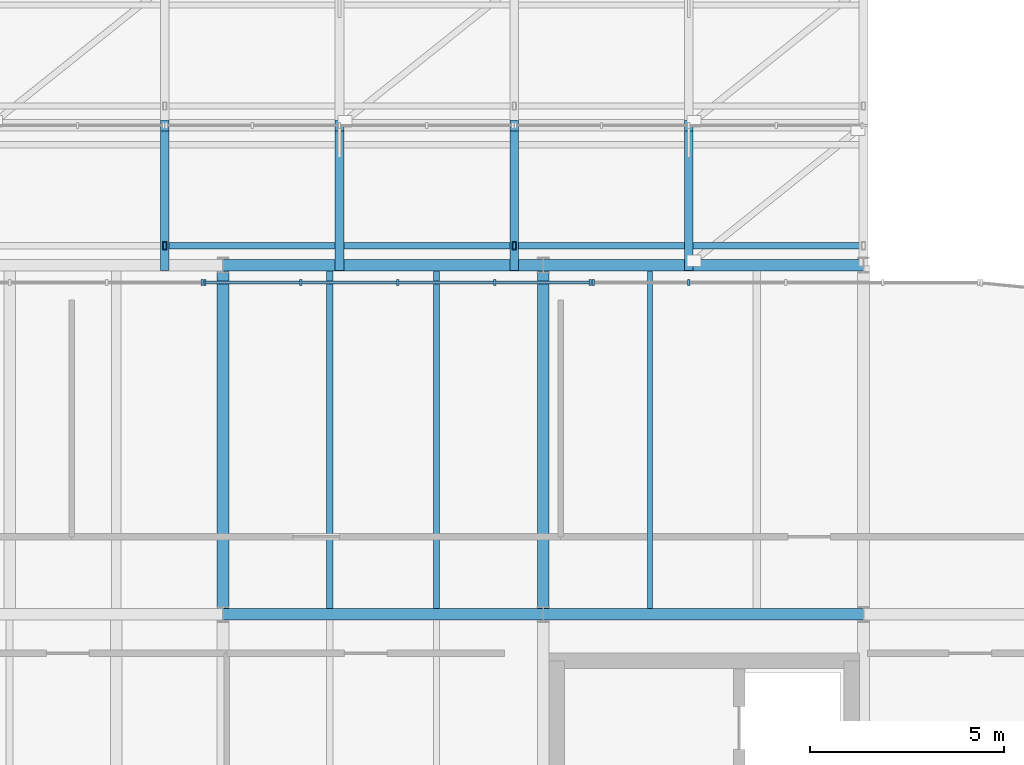
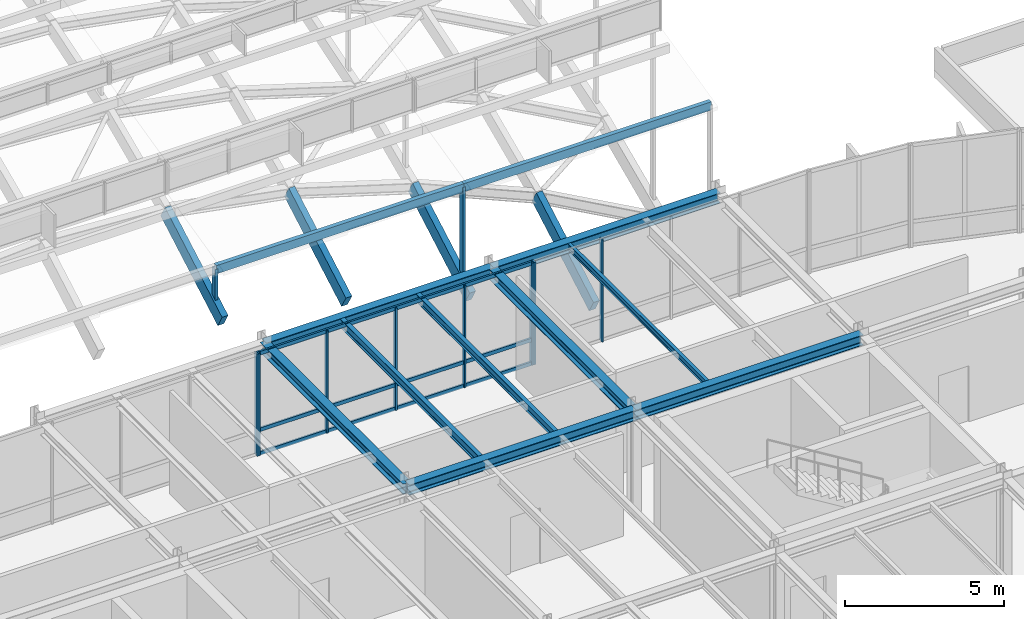
# One storey, part 19 of 69: 15 members, 13 beams, 3 elements without a shape of their own.
"""IFC4 building model written with IfcOpenShell, lengths in metres."""

from ifc_helpers import new_model, si_unit, direction, frame, origin, origin_2d, place, context, subcontext, project, spatial, rectangle, hollow_rectangle, i_section, extrude, material, layer, layer_set, material_profile, profile_set, type_object, element, aggregate, save


model = new_model("IFC4")

# Units and contexts
model_context = context("Model", 3, precision=1e-05, world=origin(), true_north=direction((0.0, 1.0)))
body_context = subcontext(model_context, "Body", "Model", "MODEL_VIEW")
ifc_project = project(units=[si_unit("LENGTHUNIT", "METRE"), si_unit("AREAUNIT", "SQUARE_METRE"), si_unit("VOLUMEUNIT", "CUBIC_METRE"), si_unit("PLANEANGLEUNIT", "RADIAN"), si_unit("MASSUNIT", "GRAM", prefix="KILO")], contexts=[model_context])

# Site, building, storey
site_placement = place(None, origin())
site = spatial("IfcSite", under=ifc_project, at=site_placement, CompositionType="ELEMENT")
building_placement = place(site_placement, origin())
building = spatial("IfcBuilding", under=site, at=building_placement, Name="Montealbar Specialist Clinic", CompositionType="ELEMENT")
storey_placement = place(building_placement, frame((0.0, 0.0, 9.60009765625)))
storey = spatial("IfcBuildingStorey", under=building, at=storey_placement, Name="L02", CompositionType="ELEMENT", Elevation=9.60009765625)

# Beams
ifc_material_1 = material(Name="Steel S355", Category="steel")
ifc_material_profile_1 = material_profile(ifc_material_1, i_section(OverallWidth=0.300048828125, OverallDepth=0.39990234375, WebThickness=0.013427734375, FlangeThickness=0.02392578125, FilletRadius=0.027099609375, at=origin_2d()), Name="HEB 400", Category="steel")
ifc_profile_set_1 = profile_set([ifc_material_profile_1], Name="Steel S355")
beam_type_1 = type_object("IfcBeamType", Name="BM-GIRD-HEB400", PredefinedType="BEAM", material=ifc_profile_set_1)
for number, where, z_axis, x_axis, name in (
    (1, (82.5, 36.0, 3.72998046875), (1.0, 0.0, 0.0), (0.0, 1.0, 0.0), "Beam GX-L02-825-908-360"),
    (2, (90.75, 36.0, 3.72998046875), (1.0, 0.0, 0.0), (0.0, 1.0, 0.0), "Beam GX-L02-908-990-360"),
):
    element("IfcBeam", number, at=place(storey_placement, frame(where, z_axis=z_axis, x_axis=x_axis)), inside=storey, type_object=beam_type_1, Name=name, PredefinedType="BEAM", context=body_context, shape_type="SweptSolid", body=[
        extrude(i_section(OverallWidth=0.300048828125, OverallDepth=0.39990234375, WebThickness=0.013427734375, FlangeThickness=0.02392578125, FilletRadius=0.027099609375, at=origin_2d()), origin(), (0.0, 0.0, 1.0), 8.25),
    ])
for number, where, z_axis, x_axis, name in (
    (3, (82.5, 36.0, 3.72998046875), (0.0, 1.0, 0.0), (-1.0, 0.0, 0.0), "Beam GY-L02-825-360-450"),
    (4, (90.75, 36.0, 3.72998046875), (0.0, 1.0, 0.0), (-1.0, 0.0, 0.0), "Beam GY-L02-908-360-450"),
):
    element("IfcBeam", number, at=place(storey_placement, frame(where, z_axis=z_axis, x_axis=x_axis)), inside=storey, type_object=beam_type_1, Name=name, PredefinedType="BEAM", context=body_context, shape_type="SweptSolid", body=[
        extrude(i_section(OverallWidth=0.300048828125, OverallDepth=0.39990234375, WebThickness=0.013427734375, FlangeThickness=0.02392578125, FilletRadius=0.027099609375, at=origin_2d()), origin(), (0.0, 0.0, 1.0), 9.0),
    ])
ifc_material_profile_2 = material_profile(ifc_material_1, i_section(OverallWidth=0.300048828125, OverallDepth=0.39990234375, WebThickness=0.013427734375, FlangeThickness=0.02392578125, FilletRadius=0.027099609375, at=origin_2d()), Name="HEB 400", Category="steel")
ifc_profile_set_2 = profile_set([ifc_material_profile_2], Name="Steel S355")
beam_type_2 = type_object("IfcBeamType", Name="BM-GIRD-HEB400-EXT", PredefinedType="BEAM", material=ifc_profile_set_2)
for number, where, z_axis, x_axis, name in (
    (5, (82.5, 45.0, 3.72998046875), (1.0, 0.0, 0.0), (0.0, 1.0, 0.0), "Beam GX-L02-825-908-450"),
    (6, (90.75, 45.0, 3.72998046875), (1.0, 0.0, 0.0), (0.0, 1.0, 0.0), "Beam GX-L02-908-990-450"),
):
    element("IfcBeam", number, at=place(storey_placement, frame(where, z_axis=z_axis, x_axis=x_axis)), inside=storey, type_object=beam_type_2, Name=name, PredefinedType="BEAM", context=body_context, shape_type="SweptSolid", body=[
        extrude(i_section(OverallWidth=0.300048828125, OverallDepth=0.39990234375, WebThickness=0.013427734375, FlangeThickness=0.02392578125, FilletRadius=0.027099609375, at=origin_2d()), origin(), (0.0, 0.0, 1.0), 8.25),
    ])
ifc_material_2 = material(Name="Glulam GL28h", Category="wood")
ifc_material_profile_3 = material_profile(ifc_material_2, rectangle(XDim=0.219970703125, YDim=0.56005859375, at=origin_2d()), Name="GL28h 220x560", Category="wood")
ifc_profile_set_3 = profile_set([ifc_material_profile_3], Name="Glulam GL28h")
beam_type_3 = type_object("IfcBeamType", Name="BM-GL-220x560-EXT", PredefinedType="BEAM", material=ifc_profile_set_3)
for number, where, z_axis, x_axis, name in (
    (7, (81.0, 45.0, 5.23291015625), (0.0, 0.869922637782, 0.493188203706), (-1.0, 0.0, 0.0), "Gridshell Glulam Roof Truss Rib Y 6-0"),
    (8, (85.5, 45.0, 4.40087890625), (0.0, 0.869922637782, 0.493188203706), (-1.0, 0.0, 0.0), "Gridshell Glulam Roof Truss Rib Y 7-0"),
    (9, (90.0, 45.0, 3.014892578125), (0.0, 0.869922637782, 0.493188203706), (-1.0, 0.0, 0.0), "Gridshell Glulam Roof Truss Rib Y 8-0"),
    (10, (94.5, 45.0, 1.074951171875), (0.0, 0.869922637782, 0.493188203706), (-1.0, 0.0, 0.0), "Gridshell Glulam Roof Truss Rib Y 9-0"),
):
    element("IfcBeam", number, at=place(storey_placement, frame(where, z_axis=z_axis, x_axis=x_axis)), inside=storey, type_object=beam_type_3, Name=name, PredefinedType="BEAM", context=body_context, shape_type="SweptSolid", body=[
        extrude(rectangle(XDim=0.219970703125, YDim=0.56005859375, at=origin_2d()), origin(), (0.0, 0.0, 1.0), 4.138427734375),
    ])
ifc_material_profile_4 = material_profile(ifc_material_1, i_section(OverallWidth=0.1201171875, OverallDepth=0.239990234375, WebThickness=0.006103515625, FlangeThickness=0.009765625, FilletRadius=0.014892578125, at=origin_2d()), Name="IPE 240", Category="steel")
ifc_profile_set_4 = profile_set([ifc_material_profile_4], Name="Steel S355")
beam_type_4 = type_object("IfcBeamType", Name="BM-JST-IPE240", PredefinedType="JOIST", material=ifc_profile_set_4)
beam_1_placement = place(storey_placement, frame((93.5, 36.14990234375, 3.809814453125), z_axis=(0.0, 1.0, 0.0), x_axis=(-1.0, 0.0, 0.0)))
element("IfcBeam", 11, at=beam_1_placement, inside=storey, type_object=beam_type_4, Name="Beam JST-L02-935-362-448", PredefinedType="JOIST", context=body_context, shape_type="SweptSolid", body=[
    extrude(i_section(OverallWidth=0.1201171875, OverallDepth=0.239990234375, WebThickness=0.006103515625, FlangeThickness=0.009765625, FilletRadius=0.014892578125, at=origin_2d()), origin(), (0.0, 0.0, 1.0), 8.7001953125),
])
ifc_material_profile_5 = material_profile(ifc_material_1, i_section(OverallWidth=0.14990234375, OverallDepth=0.300048828125, WebThickness=0.007080078125, FlangeThickness=0.0107421875, FilletRadius=0.014892578125, at=origin_2d()), Name="IPE 300", Category="steel")
ifc_profile_set_5 = profile_set([ifc_material_profile_5], Name="Steel S355")
beam_type_5 = type_object("IfcBeamType", Name="BM-JST-IPE300", PredefinedType="JOIST", material=ifc_profile_set_5)
beam_2_placement = place(storey_placement, frame((88.0, 36.14990234375, 3.77978515625), z_axis=(0.0, 1.0, 0.0), x_axis=(-1.0, 0.0, 0.0)))
element("IfcBeam", 12, at=beam_2_placement, inside=storey, type_object=beam_type_5, Name="Beam JST-L02-880-362-448", PredefinedType="JOIST", context=body_context, shape_type="SweptSolid", body=[
    extrude(i_section(OverallWidth=0.14990234375, OverallDepth=0.300048828125, WebThickness=0.007080078125, FlangeThickness=0.0107421875, FilletRadius=0.014892578125, at=origin_2d()), origin(), (0.0, 0.0, 1.0), 8.7001953125),
])
ifc_material_profile_6 = material_profile(ifc_material_1, i_section(OverallWidth=0.159912109375, OverallDepth=0.330078125, WebThickness=0.007568359375, FlangeThickness=0.011474609375, FilletRadius=0.01806640625, at=origin_2d()), Name="IPE 330", Category="steel")
ifc_profile_set_6 = profile_set([ifc_material_profile_6], Name="Steel S355")
beam_type_6 = type_object("IfcBeamType", Name="BM-JST-IPE330", PredefinedType="JOIST", material=ifc_profile_set_6)
beam_3_placement = place(storey_placement, frame((85.25, 36.14990234375, 3.764892578125), z_axis=(0.0, 1.0, 0.0), x_axis=(-1.0, 0.0, 0.0)))
element("IfcBeam", 13, at=beam_3_placement, inside=storey, type_object=beam_type_6, Name="Beam JST-L02-852-362-448", PredefinedType="JOIST", context=body_context, shape_type="SweptSolid", body=[
    extrude(i_section(OverallWidth=0.159912109375, OverallDepth=0.330078125, WebThickness=0.007568359375, FlangeThickness=0.011474609375, FilletRadius=0.01806640625, at=origin_2d()), origin(), (0.0, 0.0, 1.0), 8.7001953125),
])

# Curtain wall, member
ifc_material_3 = material(Name="Low-E double glazing", Category="glass")
ifc_layer = layer(ifc_material_3, 0.199951171875, Name="Low-E double glazing", Category="glass")
ifc_layer_set = layer_set([ifc_layer], Name="Low-E double glazing")
curtain_wall_type = type_object("IfcCurtainWallType", Name="CW-TYPE-13", PredefinedType="NOTDEFINED", material=ifc_layer_set)
curtain_wall_1_placement = place(storey_placement, origin())
curtain_wall_1 = element("IfcCurtainWall", 14, at=curtain_wall_1_placement, inside=storey, type_object=curtain_wall_type, Name="Unitised Curtain Wall CW-L02-720-446-820-446-96", PredefinedType="NOTDEFINED")
ifc_material_4 = material(Name="Anodised aluminium EN AW-6063", Category="aluminium")
ifc_material_profile_7 = material_profile(ifc_material_4, rectangle(XDim=0.06005859375, YDim=0.159912109375, at=origin_2d()), Name="ALU 60x160", Category="aluminium")
ifc_profile_set_7 = profile_set([ifc_material_profile_7], Name="Anodised aluminium EN AW-6063")
member_type_1 = type_object("IfcMemberType", Name="CW-MUL-160", PredefinedType="MULLION", material=ifc_profile_set_7)
member_1_placement = place(storey_placement, frame((81.965087890625, 44.550048828125, 0.0), z_axis=(0.0, 0.0, 1.0), x_axis=(1.0, 0.0, 0.0)))
member_1 = element("IfcMember", 15, at=member_1_placement, type_object=member_type_1, Name="Curtain Wall Mullion CW-L02-720-446-820-446-96-04", PredefinedType="MULLION", context=body_context, shape_type="SweptSolid", body=[
    extrude(rectangle(XDim=0.06005859375, YDim=0.159912109375, at=origin_2d()), origin(), (0.0, 0.0, 1.0), 3.929931640625),
])
aggregate(curtain_wall_1, [member_1])

# Curtain wall, members
curtain_wall_2_placement = place(storey_placement, origin())
curtain_wall_2 = element("IfcCurtainWall", 16, at=curtain_wall_2_placement, inside=storey, type_object=curtain_wall_type, Name="Unitised Curtain Wall CW-L02-820-446-920-446-96", PredefinedType="NOTDEFINED")
member_2_placement = place(storey_placement, frame((82.034912109375, 44.550048828125, 0.0), z_axis=(0.0, 0.0, 1.0), x_axis=(1.0, 0.0, 0.0)))
member_2 = element("IfcMember", 17, at=member_2_placement, type_object=member_type_1, Name="Curtain Wall Mullion CW-L02-820-446-920-446-96-00", PredefinedType="MULLION", context=body_context, shape_type="SweptSolid", body=[
    extrude(rectangle(XDim=0.06005859375, YDim=0.159912109375, at=origin_2d()), origin(), (0.0, 0.0, 1.0), 3.929931640625),
])
member_3_placement = place(storey_placement, frame((84.5, 44.550048828125, 0.0), z_axis=(0.0, 0.0, 1.0), x_axis=(1.0, 0.0, 0.0)))
member_3 = element("IfcMember", 18, at=member_3_placement, type_object=member_type_1, Name="Curtain Wall Mullion CW-L02-820-446-920-446-96-01", PredefinedType="MULLION", context=body_context, shape_type="SweptSolid", body=[
    extrude(rectangle(XDim=0.06005859375, YDim=0.159912109375, at=origin_2d()), origin(), (0.0, 0.0, 1.0), 3.929931640625),
])
member_4_placement = place(storey_placement, frame((87.0, 44.550048828125, 0.0), z_axis=(0.0, 0.0, 1.0), x_axis=(1.0, 0.0, 0.0)))
member_4 = element("IfcMember", 19, at=member_4_placement, type_object=member_type_1, Name="Curtain Wall Mullion CW-L02-820-446-920-446-96-02", PredefinedType="MULLION", context=body_context, shape_type="SweptSolid", body=[
    extrude(rectangle(XDim=0.06005859375, YDim=0.159912109375, at=origin_2d()), origin(), (0.0, 0.0, 1.0), 3.929931640625),
])
member_5_placement = place(storey_placement, frame((89.5, 44.550048828125, 0.0), z_axis=(0.0, 0.0, 1.0), x_axis=(1.0, 0.0, 0.0)))
member_5 = element("IfcMember", 20, at=member_5_placement, type_object=member_type_1, Name="Curtain Wall Mullion CW-L02-820-446-920-446-96-03", PredefinedType="MULLION", context=body_context, shape_type="SweptSolid", body=[
    extrude(rectangle(XDim=0.06005859375, YDim=0.159912109375, at=origin_2d()), origin(), (0.0, 0.0, 1.0), 3.929931640625),
])
member_6_placement = place(storey_placement, frame((91.965087890625, 44.550048828125, 0.0), z_axis=(0.0, 0.0, 1.0), x_axis=(1.0, 0.0, 0.0)))
member_6 = element("IfcMember", 21, at=member_6_placement, type_object=member_type_1, Name="Curtain Wall Mullion CW-L02-820-446-920-446-96-04", PredefinedType="MULLION", context=body_context, shape_type="SweptSolid", body=[
    extrude(rectangle(XDim=0.06005859375, YDim=0.159912109375, at=origin_2d()), origin(), (0.0, 0.0, 1.0), 3.929931640625),
])

curtain_wall_3_placement = place(storey_placement, origin())
curtain_wall_3 = element("IfcCurtainWall", 22, at=curtain_wall_3_placement, inside=storey, type_object=curtain_wall_type, Name="Unitised Curtain Wall CW-L02-920-446-1020-446-96", PredefinedType="NOTDEFINED")
member_7_placement = place(storey_placement, frame((92.034912109375, 44.550048828125, 0.0), z_axis=(0.0, 0.0, 1.0), x_axis=(1.0, 0.0, 0.0)))
member_7 = element("IfcMember", 23, at=member_7_placement, type_object=member_type_1, Name="Curtain Wall Mullion CW-L02-920-446-1020-446-96-00", PredefinedType="MULLION", context=body_context, shape_type="SweptSolid", body=[
    extrude(rectangle(XDim=0.06005859375, YDim=0.159912109375, at=origin_2d()), origin(), (0.0, 0.0, 1.0), 3.929931640625),
])
member_8_placement = place(storey_placement, frame((94.5, 44.550048828125, 0.0), z_axis=(0.0, 0.0, 1.0), x_axis=(1.0, 0.0, 0.0)))
member_8 = element("IfcMember", 24, at=member_8_placement, type_object=member_type_1, Name="Curtain Wall Mullion CW-L02-920-446-1020-446-96-01", PredefinedType="MULLION", context=body_context, shape_type="SweptSolid", body=[
    extrude(rectangle(XDim=0.06005859375, YDim=0.159912109375, at=origin_2d()), origin(), (0.0, 0.0, 1.0), 3.929931640625),
])
aggregate(curtain_wall_3, [member_7, member_8])

# Member
ifc_material_5 = material(Name="Powder-coated aluminium", Category="aluminium")
ifc_material_profile_8 = material_profile(ifc_material_5, rectangle(XDim=0.070068359375, YDim=0.139892578125, at=origin_2d()), Name="ALU 70x140", Category="aluminium")
ifc_profile_set_8 = profile_set([ifc_material_profile_8], Name="Powder-coated aluminium")
member_type_2 = type_object("IfcMemberType", Name="CW-TRN-140", PredefinedType="USERDEFINED", material=ifc_profile_set_8)
member_9_placement = place(storey_placement, frame((82.050048828125, 44.550048828125, 0.039794921875), z_axis=(1.0, 0.0, 0.0), x_axis=(0.0, 1.0, 0.0)))
member_9 = element("IfcMember", 25, at=member_9_placement, type_object=member_type_2, Name="Curtain Wall Transom CW-L02-820-446-920-446-96-00", ObjectType="TRANSOM", PredefinedType="USERDEFINED", context=body_context, shape_type="SweptSolid", body=[
    extrude(rectangle(XDim=0.070068359375, YDim=0.139892578125, at=origin_2d()), origin(), (0.0, 0.0, 1.0), 9.89990234375),
])

member_10_placement = place(storey_placement, frame((82.050048828125, 44.550048828125, 0.949951171875), z_axis=(1.0, 0.0, 0.0), x_axis=(0.0, 1.0, 0.0)))
member_10 = element("IfcMember", 26, at=member_10_placement, type_object=member_type_2, Name="Curtain Wall Transom CW-L02-820-446-920-446-96-01", ObjectType="TRANSOM", PredefinedType="USERDEFINED", context=body_context, shape_type="SweptSolid", body=[
    extrude(rectangle(XDim=0.070068359375, YDim=0.139892578125, at=origin_2d()), origin(), (0.0, 0.0, 1.0), 9.89990234375),
])

member_11_placement = place(storey_placement, frame((82.050048828125, 44.550048828125, 3.889892578125), z_axis=(1.0, 0.0, 0.0), x_axis=(0.0, 1.0, 0.0)))
member_11 = element("IfcMember", 27, at=member_11_placement, type_object=member_type_2, Name="Curtain Wall Transom CW-L02-820-446-920-446-96-02", ObjectType="TRANSOM", PredefinedType="USERDEFINED", context=body_context, shape_type="SweptSolid", body=[
    extrude(rectangle(XDim=0.070068359375, YDim=0.139892578125, at=origin_2d()), origin(), (0.0, 0.0, 1.0), 9.89990234375),
])

aggregate(curtain_wall_2, [member_2, member_3, member_4, member_5, member_6, member_9, member_10, member_11])

# Members
ifc_material_profile_9 = material_profile(ifc_material_2, rectangle(XDim=0.159912109375, YDim=0.320068359375, at=origin_2d()), Name="GL28h 160x320", Category="wood")
ifc_profile_set_9 = profile_set([ifc_material_profile_9], Name="Glulam GL28h")
member_type_3 = type_object("IfcMemberType", Name="MB-GS-PURLIN-GL-EXT", PredefinedType="PURLIN", material=ifc_profile_set_9)
for number, where, z_axis, x_axis, name in (
    (28, (81.0, 45.5, 6.9248046875), (1.0, 0.0, 0.0), (0.0, 1.0, 0.0), "Gridshell Glulam Purlin 1-4-1"),
    (29, (90.0, 45.5, 6.9248046875), (1.0, 0.0, 0.0), (0.0, 1.0, 0.0), "Gridshell Glulam Purlin 1-5-1"),
):
    element("IfcMember", number, at=place(storey_placement, frame(where, z_axis=z_axis, x_axis=x_axis)), inside=storey, type_object=member_type_3, Name=name, PredefinedType="PURLIN", context=body_context, shape_type="SweptSolid", body=[
        extrude(rectangle(XDim=0.159912109375, YDim=0.320068359375, at=origin_2d()), origin(), (0.0, 0.0, 1.0), 9.0),
    ])
ifc_material_profile_10 = material_profile(ifc_material_1, hollow_rectangle(XDim=0.10009765625, YDim=0.199951171875, WallThickness=0.008056640625, at=origin_2d()), Name="RHS 200x100x8", Category="steel")
ifc_profile_set_10 = profile_set([ifc_material_profile_10], Name="Steel S355")
member_type_4 = type_object("IfcMemberType", Name="MB-GS-PURLIN-ST-EXT", PredefinedType="PURLIN", material=ifc_profile_set_10)
member_12_placement = place(storey_placement, frame((81.0, 45.5, 5.23291015625), z_axis=(0.0, 0.0, 1.0), x_axis=(1.0, 0.0, 0.0)))
element("IfcMember", 30, at=member_12_placement, inside=storey, type_object=member_type_4, Name="Gridshell Monitor Post 1-6", PredefinedType="PURLIN", context=body_context, shape_type="SweptSolid", body=[
    extrude(hollow_rectangle(XDim=0.10009765625, YDim=0.199951171875, WallThickness=0.008056640625, at=origin_2d()), origin(), (0.0, 0.0, 1.0), 1.73388671875),
])
member_13_placement = place(storey_placement, frame((90.0, 45.5, 3.014892578125), z_axis=(0.0, 0.0, 1.0), x_axis=(1.0, 0.0, 0.0)))
element("IfcMember", 31, at=member_13_placement, inside=storey, type_object=member_type_4, Name="Gridshell Monitor Post 1-8", PredefinedType="PURLIN", context=body_context, shape_type="SweptSolid", body=[
    extrude(hollow_rectangle(XDim=0.10009765625, YDim=0.199951171875, WallThickness=0.008056640625, at=origin_2d()), origin(), (0.0, 0.0, 1.0), 3.951904296875),
])

save(model, "model.ifc")
